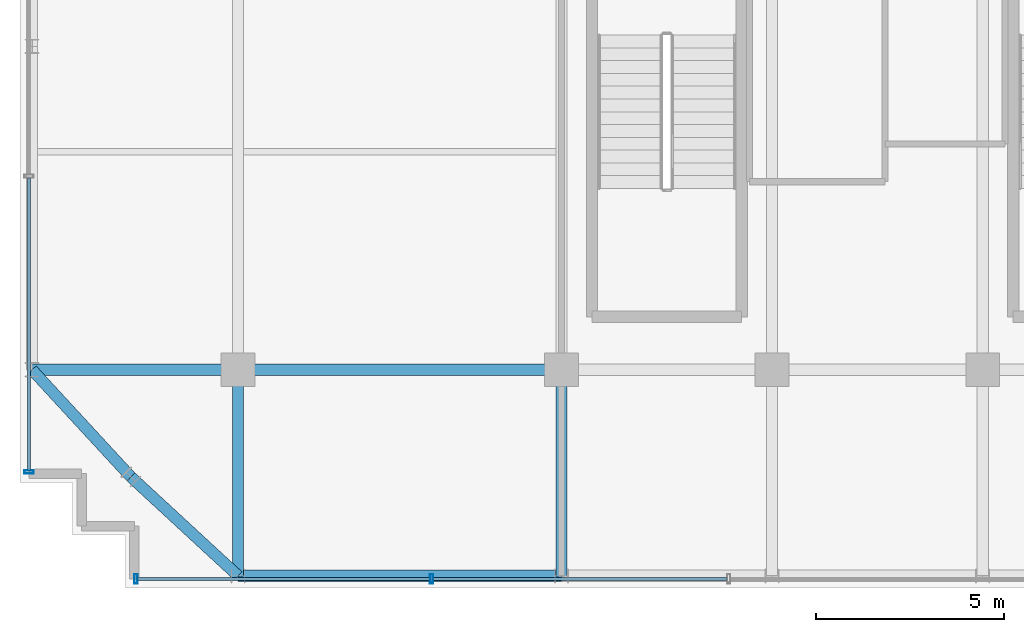
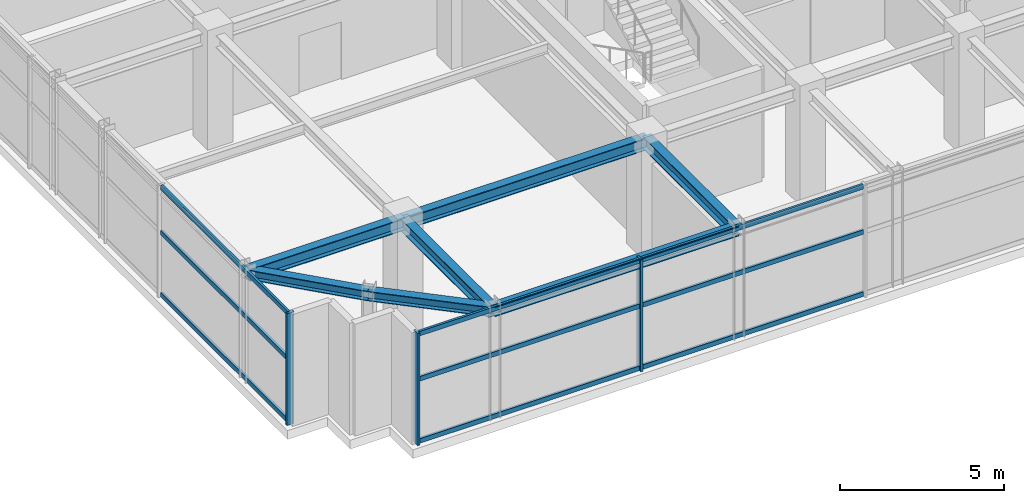
# One storey, part 4 of 20: 12 members, 7 beams, 2 elements without a shape of their own.
"""IFC4 building model written with IfcOpenShell, lengths in metres."""

from ifc_helpers import new_model, si_unit, direction, frame, origin, origin_2d, place, context, subcontext, project, spatial, hollow_rectangle, i_section, extrude, source, transform, mapped, material, material_profile, profile_set, type_object, element, aggregate, save


model = new_model("IFC4")

# Units and contexts
model_context = context("Model", 3, precision=1e-05, world=origin(), true_north=direction((0.0, 1.0)))
body_context = subcontext(model_context, "Body", "Model", "MODEL_VIEW")
ifc_project = project(units=[si_unit("LENGTHUNIT", "METRE"), si_unit("AREAUNIT", "SQUARE_METRE"), si_unit("VOLUMEUNIT", "CUBIC_METRE"), si_unit("PLANEANGLEUNIT", "RADIAN"), si_unit("MASSUNIT", "GRAM", prefix="KILO")], contexts=[model_context])

# Site, building, storey
site_placement = place(None, origin())
site = spatial("IfcSite", under=ifc_project, at=site_placement, CompositionType="ELEMENT")
building_placement = place(site_placement, origin())
building = spatial("IfcBuilding", under=site, at=building_placement, Name="Nahalor Promenade Grand Hotel", CompositionType="ELEMENT")
storey_placement = place(building_placement, frame((0.0, 0.0, 347.550048828125)))
storey = spatial("IfcBuildingStorey", under=building, at=storey_placement, Name="L89", CompositionType="ELEMENT", Elevation=347.550048828125)

# Beams
ifc_material_1 = material(Name="Steel S355JR", Category="steel")
ifc_material_profile_1 = material_profile(ifc_material_1, i_section(OverallWidth=0.3, OverallDepth=0.45, WebThickness=0.014, FlangeThickness=0.026, at=origin_2d()), Name="HEB 450")
ifc_profile_set_1 = profile_set([ifc_material_profile_1], Name="Steel S355JR")
beam_type_1 = type_object("IfcBeamType", Name="Beam-Girder-HEB450", PredefinedType="BEAM", material=ifc_profile_set_1)
shared_shape_1 = source(origin(), body_context, "Body", "SweptSolid", [
    extrude(i_section(OverallWidth=0.3, OverallDepth=0.45, WebThickness=0.014, FlangeThickness=0.026, at=origin_2d()), origin(), (0.0, 0.0, 1.0), 8.60009765625),
])
beam_1_placement = place(storey_placement, frame((-17.0, -17.0, 3.945068359375), z_axis=(1.0, 0.0, 0.0), x_axis=(0.0, 1.0, 0.0)))
element("IfcBeam", 1, at=beam_1_placement, inside=storey, type_object=beam_type_1, Name="BM-L89-GX-0-1", PredefinedType="BEAM", context=body_context, shape_type="MappedRepresentation", body=[
    mapped(shared_shape_1, transform((0.0, 0.0, 0.0), scale=1.0)),
])
shared_shape_2 = source(origin(), body_context, "Body", "SweptSolid", [
    extrude(i_section(OverallWidth=0.3, OverallDepth=0.45, WebThickness=0.014, FlangeThickness=0.026, at=origin_2d()), origin(), (0.0, 0.0, 1.0), 5.47998046875),
])
for number, where, z_axis, x_axis, name in (
    (2, (-22.47998046875, -17.0, 3.945068359375), (1.0, 0.0, 0.0), (0.0, 1.0, 0.0), "BM-L89-GX-0-0"),
    (3, (-17.0, -22.47998046875, 3.945068359375), (0.0, 1.0, 0.0), (-1.0, 0.0, 0.0), "BM-L89-GY-0-0"),
    (4, (-8.39990234375, -22.47998046875, 3.945068359375), (0.0, 1.0, 0.0), (-1.0, 0.0, 0.0), "BM-L89-GY-1-0"),
):
    element("IfcBeam", number, at=place(storey_placement, frame(where, z_axis=z_axis, x_axis=x_axis)), inside=storey, type_object=beam_type_1, Name=name, PredefinedType="BEAM", context=body_context, shape_type="MappedRepresentation", body=[
        mapped(shared_shape_2, transform((0.0, 0.0, 0.0), scale=1.0)),
    ])
ifc_material_profile_2 = material_profile(ifc_material_1, i_section(OverallWidth=0.3, OverallDepth=0.36, WebThickness=0.0125, FlangeThickness=0.0225, at=origin_2d()), Name="HEB 360")
ifc_profile_set_2 = profile_set([ifc_material_profile_2], Name="Steel S355JR")
beam_type_2 = type_object("IfcBeamType", Name="Beam-Spandrel-HEB360", PredefinedType="SPANDREL", material=ifc_profile_set_2)
shared_shape_3 = source(origin(), body_context, "Body", "SweptSolid", [
    extrude(i_section(OverallWidth=0.3, OverallDepth=0.36, WebThickness=0.0125, FlangeThickness=0.0225, at=origin_2d()), origin(), (0.0, 0.0, 1.0), 8.60009765625),
])
beam_2_placement = place(storey_placement, frame((-17.0, -22.47998046875, 3.989990234375), z_axis=(1.0, 0.0, 0.0), x_axis=(0.0, 1.0, 0.0)))
element("IfcBeam", 5, at=beam_2_placement, inside=storey, type_object=beam_type_2, Name="BM-L89-SP-S-0", PredefinedType="SPANDREL", context=body_context, shape_type="MappedRepresentation", body=[
    mapped(shared_shape_3, transform((0.0, 0.0, 0.0), scale=1.0)),
])
shared_shape_4 = source(origin(), body_context, "Body", "SweptSolid", [
    extrude(i_section(OverallWidth=0.3, OverallDepth=0.36, WebThickness=0.0125, FlangeThickness=0.0225, at=origin_2d()), origin(), (0.0, 0.0, 1.0), 3.878173828125),
])
for number, where, z_axis, x_axis, name in (
    (6, (-17.0, -22.47998046875, 3.989990234375), (-0.73492893846, 0.678144125843, 0.0), (-0.678144125843, -0.73492893846, 0.0), "BM-L89-SPC-SW-1"),
    (7, (-19.85009765625, -19.85009765625, 3.989990234375), (-0.678144125843, 0.73492893846, 0.0), (-0.73492893846, -0.678144125843, 0.0), "BM-L89-SPC-SW-2"),
):
    element("IfcBeam", number, at=place(storey_placement, frame(where, z_axis=z_axis, x_axis=x_axis)), inside=storey, type_object=beam_type_2, Name=name, PredefinedType="SPANDREL", context=body_context, shape_type="MappedRepresentation", body=[
        mapped(shared_shape_4, transform((0.0, 0.0, 0.0), scale=1.0)),
    ])

# Curtain wall, members
ifc_material_2 = material(Name="Anodised Bronze Aluminium EN AW-6063 T6", Category="aluminium")
curtain_wall_type = type_object("IfcCurtainWallType", Name="CW5 Sky-Lobby & Observation Panoramic Curtain Wall", PredefinedType="USERDEFINED", material=ifc_material_2)
curtain_wall_1_placement = place(storey_placement, origin())
curtain_wall_1 = element("IfcCurtainWall", 8, at=curtain_wall_1_placement, inside=storey, type_object=curtain_wall_type, Name="L89 Curtain Wall CW-L89-S-1", ObjectType="UNITISED_CURTAIN_WALL", PredefinedType="USERDEFINED")
ifc_material_profile_3 = material_profile(ifc_material_2, hollow_rectangle(XDim=0.085, YDim=0.25, WallThickness=0.006, at=origin_2d()), Name="CWM 85x250x6")
ifc_profile_set_3 = profile_set([ifc_material_profile_3], Name="Anodised Bronze Aluminium EN AW-6063 T6")
member_type_1 = type_object("IfcMemberType", Name="CWM5 Panoramic Deep Mullion 85x250", PredefinedType="MULLION", material=ifc_profile_set_3)
shared_shape_5 = source(origin(), body_context, "Body", "SweptSolid", [
    extrude(hollow_rectangle(XDim=0.085, YDim=0.25, WallThickness=0.006, at=origin_2d()), origin(), (0.0, 0.0, 1.0), 4.169921875),
])
member_1_placement = place(storey_placement, frame((-19.717529296875, -22.56005859375, 0.0), z_axis=(0.0, 0.0, 1.0), x_axis=(1.0, 0.0, 0.0)))
member_1 = element("IfcMember", 9, at=member_1_placement, type_object=member_type_1, Name="CW-L89-S-1 Mullion 0", PredefinedType="MULLION", context=body_context, shape_type="MappedRepresentation", body=[
    mapped(shared_shape_5, transform((0.0, 0.0, 0.0), scale=1.0)),
])
member_2_placement = place(storey_placement, frame((-11.85595703125, -22.56005859375, 0.0), z_axis=(0.0, 0.0, 1.0), x_axis=(1.0, 0.0, 0.0)))
member_2 = element("IfcMember", 10, at=member_2_placement, type_object=member_type_1, Name="CW-L89-S-1 Mullion 1", PredefinedType="MULLION", context=body_context, shape_type="MappedRepresentation", body=[
    mapped(shared_shape_5, transform((0.0, 0.0, 0.0), scale=1.0)),
])

# Curtain wall, member
curtain_wall_2_placement = place(storey_placement, origin())
curtain_wall_2 = element("IfcCurtainWall", 11, at=curtain_wall_2_placement, inside=storey, type_object=curtain_wall_type, Name="L89 Curtain Wall CW-L89-W-1", ObjectType="UNITISED_CURTAIN_WALL", PredefinedType="USERDEFINED")
member_3_placement = place(storey_placement, frame((-22.56005859375, -19.717529296875, 0.0), z_axis=(0.0, 0.0, 1.0), x_axis=(0.0, 1.0, 0.0)))
member_3 = element("IfcMember", 12, at=member_3_placement, type_object=member_type_1, Name="CW-L89-W-1 Mullion 0", PredefinedType="MULLION", context=body_context, shape_type="MappedRepresentation", body=[
    mapped(shared_shape_5, transform((0.0, 0.0, 0.0), scale=1.0)),
])

# Member
ifc_material_profile_4 = material_profile(ifc_material_2, hollow_rectangle(XDim=0.085, YDim=0.17, WallThickness=0.005, at=origin_2d()), Name="CWT 85x170x5")
ifc_profile_set_4 = profile_set([ifc_material_profile_4], Name="Anodised Bronze Aluminium EN AW-6063 T6")
member_type_2 = type_object("IfcMemberType", Name="CWT5 Panoramic Transom 85x170", PredefinedType="USERDEFINED", material=ifc_profile_set_4)
shared_shape_6 = source(origin(), body_context, "Body", "SweptSolid", [
    extrude(hollow_rectangle(XDim=0.085, YDim=0.17, WallThickness=0.005, at=origin_2d()), origin(), (0.0, 0.0, 1.0), 7.776611328125),
])
member_4_placement = place(storey_placement, frame((-19.675048828125, -22.56005859375, 0.0849609375), z_axis=(1.0, 0.0, 0.0), x_axis=(0.0, 1.0, 0.0)))
member_4 = element("IfcMember", 13, at=member_4_placement, type_object=member_type_2, Name="CW-L89-S-1 Transom 0-0", ObjectType="TRANSOM", PredefinedType="USERDEFINED", context=body_context, shape_type="MappedRepresentation", body=[
    mapped(shared_shape_6, transform((0.0, 0.0, 0.0), scale=1.0)),
])

member_5_placement = place(storey_placement, frame((-19.675048828125, -22.56005859375, 2.39990234375), z_axis=(1.0, 0.0, 0.0), x_axis=(0.0, 1.0, 0.0)))
member_5 = element("IfcMember", 14, at=member_5_placement, type_object=member_type_2, Name="CW-L89-S-1 Transom 0-1", ObjectType="TRANSOM", PredefinedType="USERDEFINED", context=body_context, shape_type="MappedRepresentation", body=[
    mapped(shared_shape_6, transform((0.0, 0.0, 0.0), scale=1.0)),
])

member_6_placement = place(storey_placement, frame((-19.675048828125, -22.56005859375, 4.0849609375), z_axis=(1.0, 0.0, 0.0), x_axis=(0.0, 1.0, 0.0)))
member_6 = element("IfcMember", 15, at=member_6_placement, type_object=member_type_2, Name="CW-L89-S-1 Transom 0-2", ObjectType="TRANSOM", PredefinedType="USERDEFINED", context=body_context, shape_type="MappedRepresentation", body=[
    mapped(shared_shape_6, transform((0.0, 0.0, 0.0), scale=1.0)),
])

member_7_placement = place(storey_placement, frame((-22.56005859375, -19.675048828125, 0.0849609375), z_axis=(0.0, 1.0, 0.0), x_axis=(-1.0, 0.0, 0.0)))
member_7 = element("IfcMember", 16, at=member_7_placement, type_object=member_type_2, Name="CW-L89-W-1 Transom 0-0", ObjectType="TRANSOM", PredefinedType="USERDEFINED", context=body_context, shape_type="MappedRepresentation", body=[
    mapped(shared_shape_6, transform((0.0, 0.0, 0.0), scale=1.0)),
])

member_8_placement = place(storey_placement, frame((-22.56005859375, -19.675048828125, 2.39990234375), z_axis=(0.0, 1.0, 0.0), x_axis=(-1.0, 0.0, 0.0)))
member_8 = element("IfcMember", 17, at=member_8_placement, type_object=member_type_2, Name="CW-L89-W-1 Transom 0-1", ObjectType="TRANSOM", PredefinedType="USERDEFINED", context=body_context, shape_type="MappedRepresentation", body=[
    mapped(shared_shape_6, transform((0.0, 0.0, 0.0), scale=1.0)),
])

member_9_placement = place(storey_placement, frame((-22.56005859375, -19.675048828125, 4.0849609375), z_axis=(0.0, 1.0, 0.0), x_axis=(-1.0, 0.0, 0.0)))
member_9 = element("IfcMember", 18, at=member_9_placement, type_object=member_type_2, Name="CW-L89-W-1 Transom 0-2", ObjectType="TRANSOM", PredefinedType="USERDEFINED", context=body_context, shape_type="MappedRepresentation", body=[
    mapped(shared_shape_6, transform((0.0, 0.0, 0.0), scale=1.0)),
])

aggregate(curtain_wall_2, [member_3, member_7, member_8, member_9])

shared_shape_7 = source(origin(), body_context, "Body", "SweptSolid", [
    extrude(hollow_rectangle(XDim=0.085, YDim=0.17, WallThickness=0.005, at=origin_2d()), origin(), (0.0, 0.0, 1.0), 7.819091796875),
])
member_10_placement = place(storey_placement, frame((-11.8134765625, -22.56005859375, 0.0849609375), z_axis=(1.0, 0.0, 0.0), x_axis=(0.0, 1.0, 0.0)))
member_10 = element("IfcMember", 19, at=member_10_placement, type_object=member_type_2, Name="CW-L89-S-1 Transom 1-0", ObjectType="TRANSOM", PredefinedType="USERDEFINED", context=body_context, shape_type="MappedRepresentation", body=[
    mapped(shared_shape_7, transform((0.0, 0.0, 0.0), scale=1.0)),
])

member_11_placement = place(storey_placement, frame((-11.8134765625, -22.56005859375, 2.39990234375), z_axis=(1.0, 0.0, 0.0), x_axis=(0.0, 1.0, 0.0)))
member_11 = element("IfcMember", 20, at=member_11_placement, type_object=member_type_2, Name="CW-L89-S-1 Transom 1-1", ObjectType="TRANSOM", PredefinedType="USERDEFINED", context=body_context, shape_type="MappedRepresentation", body=[
    mapped(shared_shape_7, transform((0.0, 0.0, 0.0), scale=1.0)),
])

member_12_placement = place(storey_placement, frame((-11.8134765625, -22.56005859375, 4.0849609375), z_axis=(1.0, 0.0, 0.0), x_axis=(0.0, 1.0, 0.0)))
member_12 = element("IfcMember", 21, at=member_12_placement, type_object=member_type_2, Name="CW-L89-S-1 Transom 1-2", ObjectType="TRANSOM", PredefinedType="USERDEFINED", context=body_context, shape_type="MappedRepresentation", body=[
    mapped(shared_shape_7, transform((0.0, 0.0, 0.0), scale=1.0)),
])

aggregate(curtain_wall_1, [member_1, member_2, member_4, member_5, member_6, member_10, member_11, member_12])

save(model, "model.ifc")
